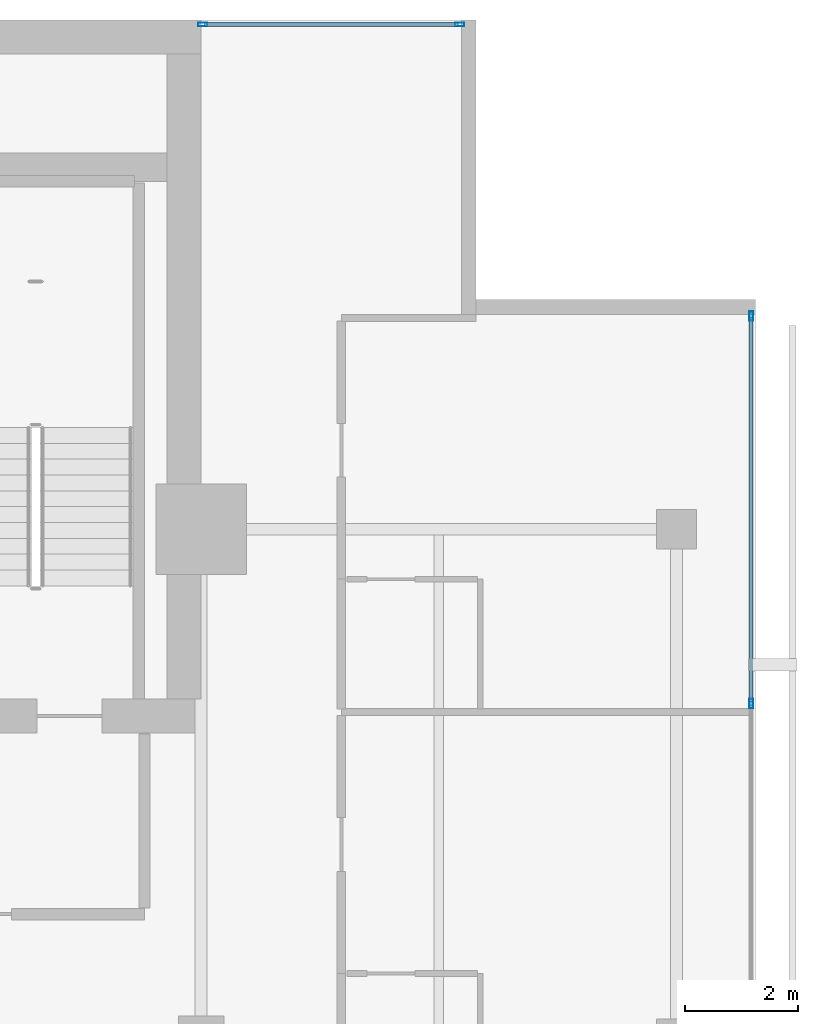
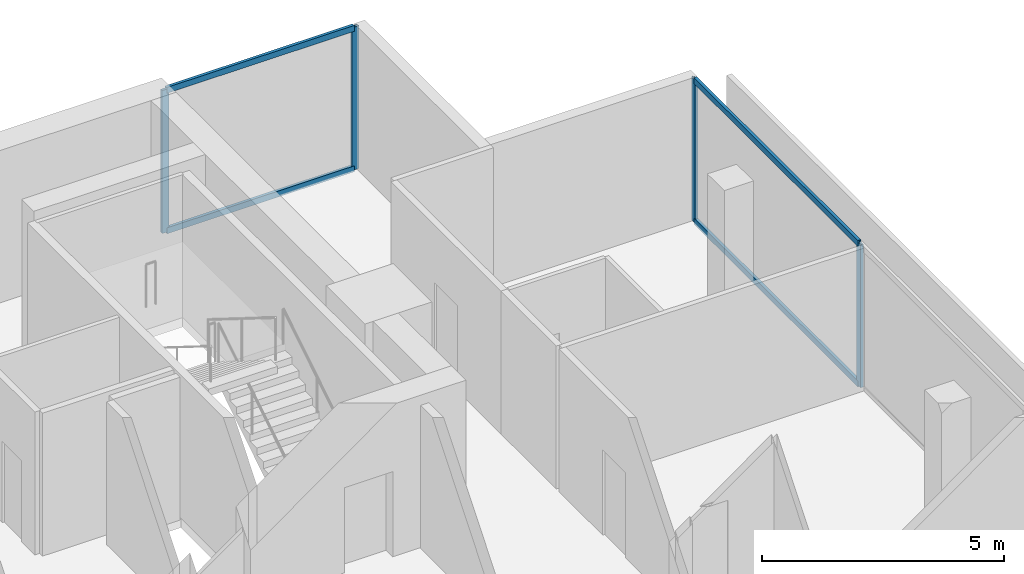
# One storey, part 18 of 25: 8 members, 2 elements without a shape of their own.
"""IFC4 building model written with IfcOpenShell, lengths in metres."""

from ifc_helpers import new_model, si_unit, direction, frame, origin, origin_2d, place, context, subcontext, project, spatial, hollow_rectangle, extrude, material, layer, layer_set, material_profile, profile_set, type_object, element, aggregate, save


model = new_model("IFC4")

# Units and contexts
model_context = context("Model", 3, precision=1e-05, world=origin(), true_north=direction((0.0, 1.0)))
body_context = subcontext(model_context, "Body", "Model", "MODEL_VIEW")
ifc_project = project(units=[si_unit("LENGTHUNIT", "METRE"), si_unit("AREAUNIT", "SQUARE_METRE"), si_unit("VOLUMEUNIT", "CUBIC_METRE"), si_unit("PLANEANGLEUNIT", "RADIAN"), si_unit("MASSUNIT", "GRAM", prefix="KILO")], contexts=[model_context])

# Site, building, storey
site_placement = place(None, origin())
site = spatial("IfcSite", under=ifc_project, at=site_placement, CompositionType="ELEMENT")
building_placement = place(site_placement, origin())
building = spatial("IfcBuilding", under=site, at=building_placement, Name="Maruvema Waterfront Hotel and Observation Tower", CompositionType="ELEMENT")
storey_placement = place(building_placement, frame((0.0, 0.0, 270.199951171875)))
storey = spatial("IfcBuildingStorey", under=building, at=storey_placement, Name="L66", CompositionType="ELEMENT", Elevation=270.199951171875)

# Curtain wall, members
ifc_material_1 = material(Name="Anodised bronze aluminium and solar-control low-E IGU", Category="aluminium")
ifc_layer = layer(ifc_material_1, 0.159912109375, Name="Zone 3 Champagne Inner Thermal Curtain Wall System CW-04")
ifc_layer_set = layer_set([ifc_layer], Name="Anodised bronze aluminium and solar-control low-E IGU")
curtain_wall_type = type_object("IfcCurtainWallType", Name="Zone 3 Champagne Inner Thermal Curtain Wall System CW-04", PredefinedType="USERDEFINED", material=ifc_layer_set)
curtain_wall_1_placement = place(storey_placement, origin())
curtain_wall_1 = element("IfcCurtainWall", 1, at=curtain_wall_1_placement, inside=storey, type_object=curtain_wall_type, Name="L66 Curtain Wall CW-L66-E", ObjectType="UNITISED CURTAIN WALL", PredefinedType="USERDEFINED")
ifc_material_2 = material(Name="Anodised architectural bronze aluminium", Category="aluminium")
ifc_material_profile_1 = material_profile(ifc_material_2, hollow_rectangle(XDim=0.070068359375, YDim=0.14990234375, WallThickness=0.00390625, at=origin_2d()), Name="ALU-T70x150")
ifc_profile_set_1 = profile_set([ifc_material_profile_1], Name="Anodised architectural bronze aluminium")
member_type_1 = type_object("IfcMemberType", Name="Curtain Wall Horizontal Transom ALU-T70x150", PredefinedType="USERDEFINED", material=ifc_profile_set_1)
member_1_placement = place(storey_placement, frame((60.1201171875, 41.949951171875, 0.030029296875), z_axis=(0.0, 1.0, 0.0), x_axis=(-1.0, 0.0, 0.0)))
member_1 = element("IfcMember", 2, at=member_1_placement, type_object=member_type_1, Name="CW-04 transom 5.1", ObjectType="TRANSOM", PredefinedType="USERDEFINED", context=body_context, shape_type="SweptSolid", body=[
    extrude(hollow_rectangle(XDim=0.070068359375, YDim=0.14990234375, WallThickness=0.00390625, at=origin_2d()), origin(), (0.0, 0.0, 1.0), 6.7900390625),
])
member_2_placement = place(storey_placement, frame((60.1201171875, 41.949951171875, 3.580078125), z_axis=(0.0, 1.0, 0.0), x_axis=(-1.0, 0.0, 0.0)))
member_2 = element("IfcMember", 3, at=member_2_placement, type_object=member_type_1, Name="CW-04 transom 5.2", ObjectType="TRANSOM", PredefinedType="USERDEFINED", context=body_context, shape_type="SweptSolid", body=[
    extrude(hollow_rectangle(XDim=0.070068359375, YDim=0.14990234375, WallThickness=0.00390625, at=origin_2d()), origin(), (0.0, 0.0, 1.0), 6.7900390625),
])

curtain_wall_2_placement = place(storey_placement, origin())
curtain_wall_2 = element("IfcCurtainWall", 4, at=curtain_wall_2_placement, inside=storey, type_object=curtain_wall_type, Name="L66 Curtain Wall CW-L66-NE", ObjectType="UNITISED CURTAIN WALL", PredefinedType="USERDEFINED")
member_3_placement = place(storey_placement, frame((54.93994140625, 53.919921875, 0.030029296875), z_axis=(-1.0, 0.0, 0.0), x_axis=(0.0, -1.0, 0.0)))
member_3 = element("IfcMember", 5, at=member_3_placement, type_object=member_type_1, Name="CW-04 transom 1.1", ObjectType="TRANSOM", PredefinedType="USERDEFINED", context=body_context, shape_type="SweptSolid", body=[
    extrude(hollow_rectangle(XDim=0.070068359375, YDim=0.14990234375, WallThickness=0.00390625, at=origin_2d()), origin(), (0.0, 0.0, 1.0), 4.47998046875),
])
member_4_placement = place(storey_placement, frame((54.93994140625, 53.919921875, 3.580078125), z_axis=(-1.0, 0.0, 0.0), x_axis=(0.0, -1.0, 0.0)))
member_4 = element("IfcMember", 6, at=member_4_placement, type_object=member_type_1, Name="CW-04 transom 1.2", ObjectType="TRANSOM", PredefinedType="USERDEFINED", context=body_context, shape_type="SweptSolid", body=[
    extrude(hollow_rectangle(XDim=0.070068359375, YDim=0.14990234375, WallThickness=0.00390625, at=origin_2d()), origin(), (0.0, 0.0, 1.0), 4.47998046875),
])

# Member
ifc_material_3 = material(Name="Anodised architectural bronze aluminium", Category="aluminium")
ifc_material_profile_2 = material_profile(ifc_material_3, hollow_rectangle(XDim=0.06494140625, YDim=0.1650390625, WallThickness=0.00390625, at=origin_2d()), Name="ALU-M65x165")
ifc_profile_set_2 = profile_set([ifc_material_profile_2], Name="Anodised architectural bronze aluminium")
member_type_2 = type_object("IfcMemberType", Name="Curtain Wall Primary Mullion ALU-M65x165", PredefinedType="MULLION", material=ifc_profile_set_2)
member_5_placement = place(storey_placement, frame((60.1201171875, 41.919921875, 0.0), z_axis=(0.0, 0.0, 1.0), x_axis=(-1.0, 0.0, 0.0)))
member_5 = element("IfcMember", 7, at=member_5_placement, type_object=member_type_2, Name="CW-04 mullion 5", PredefinedType="MULLION", context=body_context, shape_type="SweptSolid", body=[
    extrude(hollow_rectangle(XDim=0.06494140625, YDim=0.1650390625, WallThickness=0.00390625, at=origin_2d()), origin(), (0.0, 0.0, 1.0), 3.610107421875),
])

member_6_placement = place(storey_placement, frame((60.1201171875, 48.77001953125, 0.0), z_axis=(0.0, 0.0, 1.0), x_axis=(-1.0, 0.0, 0.0)))
member_6 = element("IfcMember", 8, at=member_6_placement, type_object=member_type_2, Name="CW-04 mullion 6", PredefinedType="MULLION", context=body_context, shape_type="SweptSolid", body=[
    extrude(hollow_rectangle(XDim=0.06494140625, YDim=0.1650390625, WallThickness=0.00390625, at=origin_2d()), origin(), (0.0, 0.0, 1.0), 3.610107421875),
])

aggregate(curtain_wall_1, [member_5, member_6, member_1, member_2])

member_7_placement = place(storey_placement, frame((54.969970703125, 53.919921875, 0.0), z_axis=(0.0, 0.0, 1.0), x_axis=(0.0, -1.0, 0.0)))
member_7 = element("IfcMember", 9, at=member_7_placement, type_object=member_type_2, Name="CW-04 mullion 1", PredefinedType="MULLION", context=body_context, shape_type="SweptSolid", body=[
    extrude(hollow_rectangle(XDim=0.06494140625, YDim=0.1650390625, WallThickness=0.00390625, at=origin_2d()), origin(), (0.0, 0.0, 1.0), 3.610107421875),
])

member_8_placement = place(storey_placement, frame((50.429931640625, 53.919921875, 0.0), z_axis=(0.0, 0.0, 1.0), x_axis=(0.0, -1.0, 0.0)))
member_8 = element("IfcMember", 10, at=member_8_placement, type_object=member_type_2, Name="CW-04 mullion 2", PredefinedType="MULLION", context=body_context, shape_type="SweptSolid", body=[
    extrude(hollow_rectangle(XDim=0.06494140625, YDim=0.1650390625, WallThickness=0.00390625, at=origin_2d()), origin(), (0.0, 0.0, 1.0), 3.610107421875),
])

aggregate(curtain_wall_2, [member_7, member_8, member_3, member_4])

save(model, "model.ifc")
